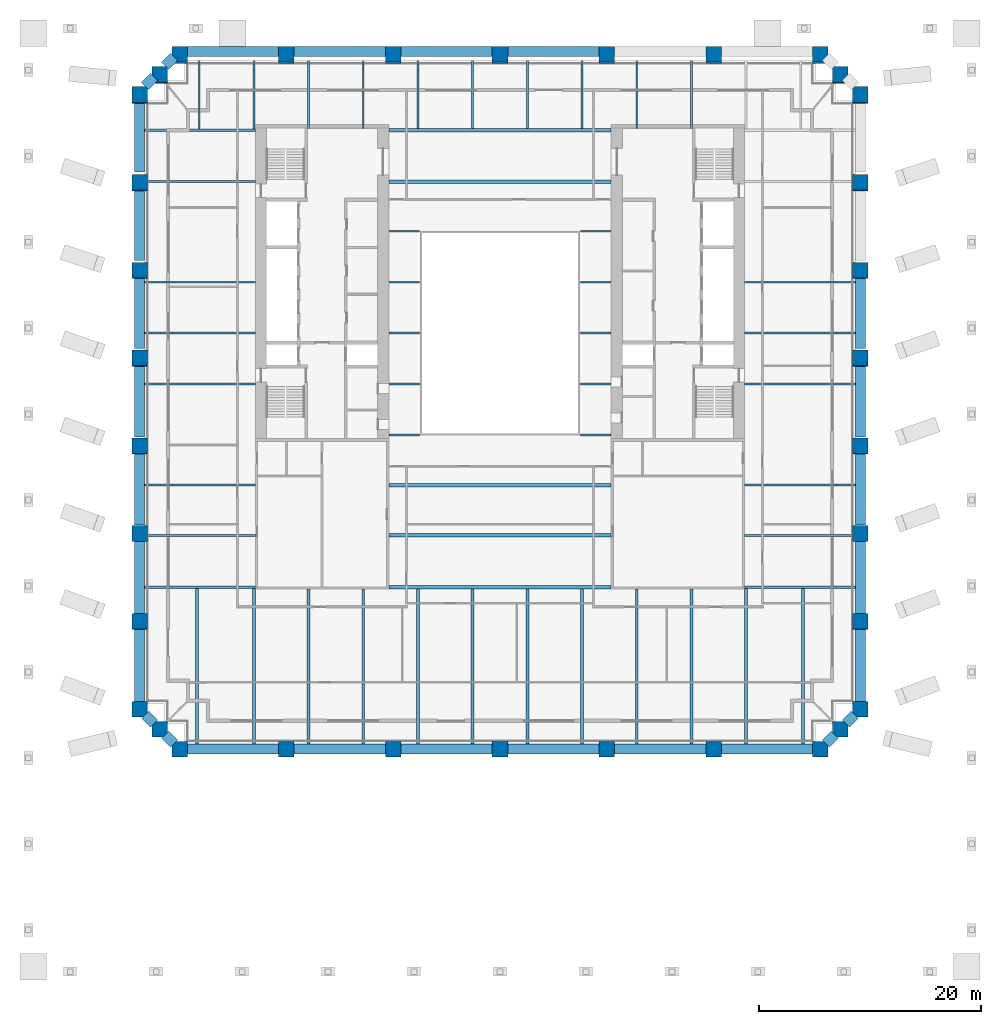
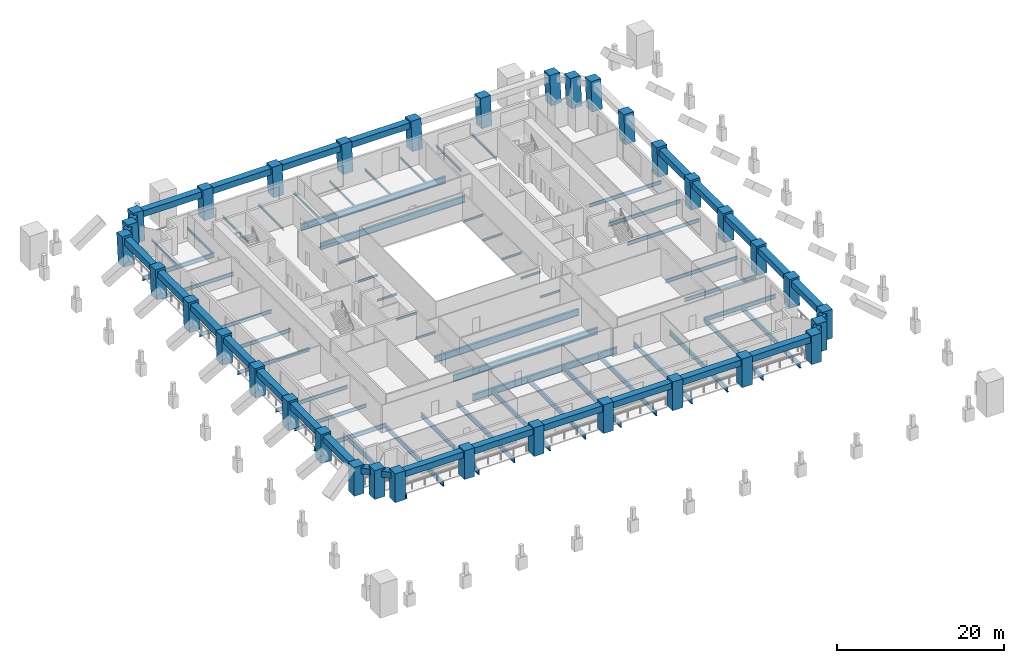
# One storey, part 1 of 10: 79 beams, 34 columns.
"""IFC4 building model written with IfcOpenShell, lengths in metres."""

from ifc_helpers import new_model, si_unit, direction, frame, origin, origin_2d, place, context, subcontext, project, spatial, rectangle, i_section, extrude, material, material_profile, profile_set, type_object, element, save


model = new_model("IFC4")

# Units and contexts
model_context = context("Model", 3, precision=1e-05, world=origin(), true_north=direction((0.0, 1.0)))
body_context = subcontext(model_context, "Body", "Model", "MODEL_VIEW")
ifc_project = project(units=[si_unit("LENGTHUNIT", "METRE"), si_unit("AREAUNIT", "SQUARE_METRE"), si_unit("VOLUMEUNIT", "CUBIC_METRE"), si_unit("PLANEANGLEUNIT", "RADIAN"), si_unit("MASSUNIT", "GRAM", prefix="KILO")], contexts=[model_context])

# Site, building, storey
site_placement = place(None, origin())
site = spatial("IfcSite", under=ifc_project, at=site_placement, CompositionType="ELEMENT")
building_placement = place(site_placement, origin())
building = spatial("IfcBuilding", under=site, at=building_placement, Name="Ogive Exchange Tower", CompositionType="ELEMENT")
storey_placement = place(building_placement, frame((0.0, 0.0, 39.60009765625)))
storey = spatial("IfcBuildingStorey", under=building, at=storey_placement, Name="L07", CompositionType="ELEMENT", Elevation=39.60009765625)

# Columns
ifc_material_1 = material(Name="Precast concrete C70/85 (limestone faced)", Category="masonry")
ifc_material_profile_1 = material_profile(ifc_material_1, rectangle(XDim=1.39990234375, YDim=1.39990234375, at=origin_2d()), Name="1400 x 1400")
ifc_profile_set_1 = profile_set([ifc_material_profile_1], Name="Precast concrete C70/85 (limestone faced)")
column_type = type_object("IfcColumnType", Name="Precast exoskeleton leg 1400 x 1400 C70/85", PredefinedType="COLUMN", material=ifc_profile_set_1)
for number, where, z_axis, x_axis, name in (
    (1, (-28.800048828125, -30.39990234375, 0.0), (0.0, 0.0, 1.0), (1.0, 0.0, 0.0), "Exoskeleton leg 1"),
    (2, (-19.199951171875, -30.39990234375, 0.0), (0.0, 0.0, 1.0), (1.0, 0.0, 0.0), "Exoskeleton leg 2"),
    (3, (-9.60009765625, -30.39990234375, 0.0), (0.0, 0.0, 1.0), (1.0, 0.0, 0.0), "Exoskeleton leg 3"),
    (4, (0.0, -30.39990234375, 0.0), (0.0, 0.0, 1.0), (1.0, 0.0, 0.0), "Exoskeleton leg 4"),
    (5, (9.60009765625, -30.39990234375, 0.0), (0.0, 0.0, 1.0), (1.0, 0.0, 0.0), "Exoskeleton leg 5"),
    (6, (19.199951171875, -30.39990234375, 0.0), (0.0, 0.0, 1.0), (1.0, 0.0, 0.0), "Exoskeleton leg 6"),
    (7, (28.800048828125, -30.39990234375, 0.0), (0.0, 0.0, 1.0), (1.0, 0.0, 0.0), "Exoskeleton leg 7"),
    (8, (32.39990234375, -26.800048828125, 0.0), (0.0, 0.0, 1.0), (1.0, 0.0, 0.0), "Exoskeleton leg 8"),
):
    element("IfcColumn", number, at=place(storey_placement, frame(where, z_axis=z_axis, x_axis=x_axis)), inside=storey, type_object=column_type, Name=name, PredefinedType="COLUMN", context=body_context, shape_type="SweptSolid", body=[
        extrude(rectangle(XDim=1.39990234375, YDim=1.39990234375, at=origin_2d()), origin(), (0.0, 0.0, 1.0), 4.199951171875),
    ])
column_1_placement = place(storey_placement, frame((32.39990234375, -18.922119140625, 0.0), z_axis=(0.0, 0.013019881024, 0.999915237757), x_axis=(-1.0, 0.0, 0.0)))
element("IfcColumn", 9, at=column_1_placement, inside=storey, type_object=column_type, Name="Exoskeleton leg 9", PredefinedType="COLUMN", context=body_context, shape_type="SweptSolid", body=[
    extrude(rectangle(XDim=1.39990234375, YDim=1.39990234375, at=origin_2d()), origin(), (0.0, 0.0, 1.0), 4.2001953125),
])
column_2_placement = place(storey_placement, frame((32.39990234375, -11.044189453125, 0.0), z_axis=(0.0, 0.025975072843, 0.999662590873), x_axis=(-1.0, 0.0, 0.0)))
element("IfcColumn", 10, at=column_2_placement, inside=storey, type_object=column_type, Name="Exoskeleton leg 10", PredefinedType="COLUMN", context=body_context, shape_type="SweptSolid", body=[
    extrude(rectangle(XDim=1.39990234375, YDim=1.39990234375, at=origin_2d()), origin(), (0.0, 0.0, 1.0), 4.201416015625),
])
column_3_placement = place(storey_placement, frame((32.39990234375, -3.166259765625, 0.0), z_axis=(0.0, 0.038917190853, 0.999242439179), x_axis=(-1.0, 0.0, 0.0)))
element("IfcColumn", 11, at=column_3_placement, inside=storey, type_object=column_type, Name="Exoskeleton leg 11", PredefinedType="COLUMN", context=body_context, shape_type="SweptSolid", body=[
    extrude(rectangle(XDim=1.39990234375, YDim=1.39990234375, at=origin_2d()), origin(), (0.0, 0.0, 1.0), 4.203125),
])
column_4_placement = place(storey_placement, frame((32.39990234375, 4.711669921875, 0.0), z_axis=(0.0, 0.051897648879, 0.99865240902), x_axis=(-1.0, 0.0, 0.0)))
element("IfcColumn", 12, at=column_4_placement, inside=storey, type_object=column_type, Name="Exoskeleton leg 12", PredefinedType="COLUMN", context=body_context, shape_type="SweptSolid", body=[
    extrude(rectangle(XDim=1.39990234375, YDim=1.39990234375, at=origin_2d()), origin(), (0.0, 0.0, 1.0), 4.20556640625),
])
column_5_placement = place(storey_placement, frame((32.39990234375, 12.589599609375, 0.0), z_axis=(0.0, 0.064794093908, 0.997898654872), x_axis=(-1.0, 0.0, 0.0)))
element("IfcColumn", 13, at=column_5_placement, inside=storey, type_object=column_type, Name="Exoskeleton leg 13", PredefinedType="COLUMN", context=body_context, shape_type="SweptSolid", body=[
    extrude(rectangle(XDim=1.39990234375, YDim=1.39990234375, at=origin_2d()), origin(), (0.0, 0.0, 1.0), 4.208740234375),
])
column_6_placement = place(storey_placement, frame((32.39990234375, 20.467529296875, 0.0), z_axis=(0.0, 0.07771576013, 0.996975556685), x_axis=(-1.0, 0.0, 0.0)))
element("IfcColumn", 14, at=column_6_placement, inside=storey, type_object=column_type, Name="Exoskeleton leg 14", PredefinedType="COLUMN", context=body_context, shape_type="SweptSolid", body=[
    extrude(rectangle(XDim=1.39990234375, YDim=1.39990234375, at=origin_2d()), origin(), (0.0, 0.0, 1.0), 4.212646484375),
])
for number, where, z_axis, x_axis, name in (
    (15, (32.39990234375, 28.345458984375, 0.0), (0.0, 0.090540965689, 0.995892731941), (-1.0, 0.0, 0.0), "Exoskeleton leg 15"),
    (16, (28.800048828125, 31.945556640625, 0.0), (0.0, 0.090540965689, 0.995892731941), (-1.0, 0.0, 0.0), "Exoskeleton leg 16"),
    (17, (19.199951171875, 31.945556640625, 0.0), (0.0, 0.090540965689, 0.995892731941), (-1.0, 0.0, 0.0), "Exoskeleton leg 17"),
    (18, (9.60009765625, 31.945556640625, 0.0), (0.0, 0.090540965689, 0.995892731941), (-1.0, 0.0, 0.0), "Exoskeleton leg 18"),
    (19, (0.0, 31.945556640625, 0.0), (0.0, 0.090540965689, 0.995892731941), (-1.0, 0.0, 0.0), "Exoskeleton leg 19"),
    (20, (-9.60009765625, 31.945556640625, 0.0), (0.0, 0.090540965689, 0.995892731941), (-1.0, 0.0, 0.0), "Exoskeleton leg 20"),
    (21, (-19.199951171875, 31.945556640625, 0.0), (0.0, 0.090540965689, 0.995892731941), (-1.0, 0.0, 0.0), "Exoskeleton leg 21"),
    (22, (-28.800048828125, 31.945556640625, 0.0), (0.0, 0.090540965689, 0.995892731941), (-1.0, 0.0, 0.0), "Exoskeleton leg 22"),
    (23, (-32.39990234375, 28.345458984375, 0.0), (0.0, 0.090540965689, 0.995892731941), (-1.0, 0.0, 0.0), "Exoskeleton leg 23"),
):
    element("IfcColumn", number, at=place(storey_placement, frame(where, z_axis=z_axis, x_axis=x_axis)), inside=storey, type_object=column_type, Name=name, PredefinedType="COLUMN", context=body_context, shape_type="SweptSolid", body=[
        extrude(rectangle(XDim=1.39990234375, YDim=1.39990234375, at=origin_2d()), origin(), (0.0, 0.0, 1.0), 4.21728515625),
    ])
column_7_placement = place(storey_placement, frame((-32.39990234375, 20.467529296875, 0.0), z_axis=(0.0, 0.07771576013, 0.996975556685), x_axis=(-1.0, 0.0, 0.0)))
element("IfcColumn", 24, at=column_7_placement, inside=storey, type_object=column_type, Name="Exoskeleton leg 24", PredefinedType="COLUMN", context=body_context, shape_type="SweptSolid", body=[
    extrude(rectangle(XDim=1.39990234375, YDim=1.39990234375, at=origin_2d()), origin(), (0.0, 0.0, 1.0), 4.212646484375),
])
column_8_placement = place(storey_placement, frame((-32.39990234375, 12.589599609375, 0.0), z_axis=(0.0, 0.064794093908, 0.997898654872), x_axis=(-1.0, 0.0, 0.0)))
element("IfcColumn", 25, at=column_8_placement, inside=storey, type_object=column_type, Name="Exoskeleton leg 25", PredefinedType="COLUMN", context=body_context, shape_type="SweptSolid", body=[
    extrude(rectangle(XDim=1.39990234375, YDim=1.39990234375, at=origin_2d()), origin(), (0.0, 0.0, 1.0), 4.208740234375),
])
column_9_placement = place(storey_placement, frame((-32.39990234375, 4.711669921875, 0.0), z_axis=(0.0, 0.051897648879, 0.99865240902), x_axis=(-1.0, 0.0, 0.0)))
element("IfcColumn", 26, at=column_9_placement, inside=storey, type_object=column_type, Name="Exoskeleton leg 26", PredefinedType="COLUMN", context=body_context, shape_type="SweptSolid", body=[
    extrude(rectangle(XDim=1.39990234375, YDim=1.39990234375, at=origin_2d()), origin(), (0.0, 0.0, 1.0), 4.20556640625),
])
column_10_placement = place(storey_placement, frame((-32.39990234375, -3.166259765625, 0.0), z_axis=(0.0, 0.038917190853, 0.999242439179), x_axis=(-1.0, 0.0, 0.0)))
element("IfcColumn", 27, at=column_10_placement, inside=storey, type_object=column_type, Name="Exoskeleton leg 27", PredefinedType="COLUMN", context=body_context, shape_type="SweptSolid", body=[
    extrude(rectangle(XDim=1.39990234375, YDim=1.39990234375, at=origin_2d()), origin(), (0.0, 0.0, 1.0), 4.203125),
])
column_11_placement = place(storey_placement, frame((-32.39990234375, -11.044189453125, 0.0), z_axis=(0.0, 0.025975072843, 0.999662590873), x_axis=(-1.0, 0.0, 0.0)))
element("IfcColumn", 28, at=column_11_placement, inside=storey, type_object=column_type, Name="Exoskeleton leg 28", PredefinedType="COLUMN", context=body_context, shape_type="SweptSolid", body=[
    extrude(rectangle(XDim=1.39990234375, YDim=1.39990234375, at=origin_2d()), origin(), (0.0, 0.0, 1.0), 4.201416015625),
])
column_12_placement = place(storey_placement, frame((-32.39990234375, -18.922119140625, 0.0), z_axis=(0.0, 0.013019881024, 0.999915237757), x_axis=(-1.0, 0.0, 0.0)))
element("IfcColumn", 29, at=column_12_placement, inside=storey, type_object=column_type, Name="Exoskeleton leg 29", PredefinedType="COLUMN", context=body_context, shape_type="SweptSolid", body=[
    extrude(rectangle(XDim=1.39990234375, YDim=1.39990234375, at=origin_2d()), origin(), (0.0, 0.0, 1.0), 4.2001953125),
])
for number, where, z_axis, x_axis, name in (
    (30, (-32.39990234375, -26.800048828125, 0.0), (0.0, 0.0, 1.0), (1.0, 0.0, 0.0), "Exoskeleton leg 30"),
    (31, (30.60009765625, -28.60009765625, 0.0), (0.0, 0.0, 1.0), (1.0, 0.0, 0.0), "Exoskeleton leg 31"),
):
    element("IfcColumn", number, at=place(storey_placement, frame(where, z_axis=z_axis, x_axis=x_axis)), inside=storey, type_object=column_type, Name=name, PredefinedType="COLUMN", context=body_context, shape_type="SweptSolid", body=[
        extrude(rectangle(XDim=1.39990234375, YDim=1.39990234375, at=origin_2d()), origin(), (0.0, 0.0, 1.0), 4.199951171875),
    ])
for number, where, z_axis, x_axis, name in (
    (32, (30.60009765625, 30.1455078125, 0.0), (0.0, 0.090540965689, 0.995892731941), (-1.0, 0.0, 0.0), "Exoskeleton leg 32"),
    (33, (-30.60009765625, 30.1455078125, 0.0), (0.0, 0.090540965689, 0.995892731941), (-1.0, 0.0, 0.0), "Exoskeleton leg 33"),
):
    element("IfcColumn", number, at=place(storey_placement, frame(where, z_axis=z_axis, x_axis=x_axis)), inside=storey, type_object=column_type, Name=name, PredefinedType="COLUMN", context=body_context, shape_type="SweptSolid", body=[
        extrude(rectangle(XDim=1.39990234375, YDim=1.39990234375, at=origin_2d()), origin(), (0.0, 0.0, 1.0), 4.21728515625),
    ])
column_13_placement = place(storey_placement, frame((-30.60009765625, -28.60009765625, 0.0), z_axis=(0.0, 0.0, 1.0), x_axis=(1.0, 0.0, 0.0)))
element("IfcColumn", 34, at=column_13_placement, inside=storey, type_object=column_type, Name="Exoskeleton leg 34", PredefinedType="COLUMN", context=body_context, shape_type="SweptSolid", body=[
    extrude(rectangle(XDim=1.39990234375, YDim=1.39990234375, at=origin_2d()), origin(), (0.0, 0.0, 1.0), 4.199951171875),
])

# Beams
ifc_material_2 = material(Name="Steel ASTM A992 Gr50", Category="steel")
ifc_material_profile_2 = material_profile(ifc_material_2, i_section(OverallWidth=0.300048828125, OverallDepth=0.969970703125, WebThickness=0.01611328125, FlangeThickness=0.02099609375, at=origin_2d()), Name="W1000x222")
ifc_profile_set_2 = profile_set([ifc_material_profile_2], Name="Steel ASTM A992 Gr50")
beam_type_1 = type_object("IfcBeamType", Name="Floor beam W1000x222", PredefinedType="JOIST", material=ifc_profile_set_2)
for number, where, z_axis, x_axis, name in (
    (35, (-10.0, -11.17822265625, -0.68505859375), (1.0, 0.0, 0.0), (0.0, 1.0, 0.0), "Floor beam"),
    (36, (-10.0, -6.666748046875, -0.68505859375), (1.0, 0.0, 0.0), (0.0, 1.0, 0.0), "Floor beam"),
    (37, (-10.0, 20.62255859375, -0.68505859375), (1.0, 0.0, 0.0), (0.0, 1.0, 0.0), "Floor beam"),
):
    element("IfcBeam", number, at=place(storey_placement, frame(where, z_axis=z_axis, x_axis=x_axis)), inside=storey, type_object=beam_type_1, Name=name, PredefinedType="JOIST", context=body_context, shape_type="SweptSolid", body=[
        extrude(i_section(OverallWidth=0.300048828125, OverallDepth=0.969970703125, WebThickness=0.01611328125, FlangeThickness=0.02099609375, at=origin_2d()), origin(), (0.0, 0.0, 1.0), 20.0),
    ])
ifc_material_profile_3 = material_profile(ifc_material_2, i_section(OverallWidth=0.1650390625, OverallDepth=0.31005859375, WebThickness=0.005859375, FlangeThickness=0.009765625, at=origin_2d()), Name="W310x38.7")
ifc_profile_set_3 = profile_set([ifc_material_profile_3], Name="Steel ASTM A992 Gr50")
beam_type_2 = type_object("IfcBeamType", Name="Floor beam W310x38.7", PredefinedType="JOIST", material=ifc_profile_set_3)
for number, where, z_axis, x_axis, name in (
    (38, (-10.0, 2.422607421875, -0.35498046875), (1.0, 0.0, 0.0), (0.0, 1.0, 0.0), "Floor beam"),
    (39, (7.219970703125, 2.422607421875, -0.35498046875), (1.0, 0.0, 0.0), (0.0, 1.0, 0.0), "Floor beam"),
    (40, (-10.0, 7.0, -0.35498046875), (1.0, 0.0, 0.0), (0.0, 1.0, 0.0), "Floor beam"),
    (41, (7.219970703125, 7.0, -0.35498046875), (1.0, 0.0, 0.0), (0.0, 1.0, 0.0), "Floor beam"),
    (42, (-10.0, 11.577392578125, -0.35498046875), (1.0, 0.0, 0.0), (0.0, 1.0, 0.0), "Floor beam"),
    (43, (7.219970703125, 11.577392578125, -0.35498046875), (1.0, 0.0, 0.0), (0.0, 1.0, 0.0), "Floor beam"),
):
    element("IfcBeam", number, at=place(storey_placement, frame(where, z_axis=z_axis, x_axis=x_axis)), inside=storey, type_object=beam_type_2, Name=name, PredefinedType="JOIST", context=body_context, shape_type="SweptSolid", body=[
        extrude(i_section(OverallWidth=0.1650390625, OverallDepth=0.31005859375, WebThickness=0.005859375, FlangeThickness=0.009765625, at=origin_2d()), origin(), (0.0, 0.0, 1.0), 2.780029296875),
    ])
for number, where, z_axis, x_axis, name in (
    (44, (-27.03466796875, 25.35888671875, -0.35498046875), (0.0, 1.0, 0.0), (-1.0, 0.0, 0.0), "Floor beam"),
    (45, (-22.119140625, 25.35888671875, -0.35498046875), (0.0, 1.0, 0.0), (-1.0, 0.0, 0.0), "Floor beam"),
):
    element("IfcBeam", number, at=place(storey_placement, frame(where, z_axis=z_axis, x_axis=x_axis)), inside=storey, type_object=beam_type_2, Name=name, PredefinedType="JOIST", context=body_context, shape_type="SweptSolid", body=[
        extrude(i_section(OverallWidth=0.1650390625, OverallDepth=0.31005859375, WebThickness=0.005859375, FlangeThickness=0.009765625, at=origin_2d()), origin(), (0.0, 0.0, 1.0), 6.13671875),
    ])
for number, where, z_axis, x_axis, name in (
    (46, (-17.203857421875, 25.39990234375, -0.35498046875), (0.0, 1.0, 0.0), (-1.0, 0.0, 0.0), "Floor beam"),
    (47, (-12.28857421875, 25.39990234375, -0.35498046875), (0.0, 1.0, 0.0), (-1.0, 0.0, 0.0), "Floor beam"),
):
    element("IfcBeam", number, at=place(storey_placement, frame(where, z_axis=z_axis, x_axis=x_axis)), inside=storey, type_object=beam_type_2, Name=name, PredefinedType="JOIST", context=body_context, shape_type="SweptSolid", body=[
        extrude(i_section(OverallWidth=0.1650390625, OverallDepth=0.31005859375, WebThickness=0.005859375, FlangeThickness=0.009765625, at=origin_2d()), origin(), (0.0, 0.0, 1.0), 6.095703125),
    ])
for number, where, z_axis, x_axis, name in (
    (48, (-7.373046875, 25.39501953125, -0.35498046875), (0.0, 1.0, 0.0), (-1.0, 0.0, 0.0), "Floor beam"),
    (49, (-2.457763671875, 25.39501953125, -0.35498046875), (0.0, 1.0, 0.0), (-1.0, 0.0, 0.0), "Floor beam"),
    (50, (2.457763671875, 25.39501953125, -0.35498046875), (0.0, 1.0, 0.0), (-1.0, 0.0, 0.0), "Floor beam"),
    (51, (7.373046875, 25.39501953125, -0.35498046875), (0.0, 1.0, 0.0), (-1.0, 0.0, 0.0), "Floor beam"),
):
    element("IfcBeam", number, at=place(storey_placement, frame(where, z_axis=z_axis, x_axis=x_axis)), inside=storey, type_object=beam_type_2, Name=name, PredefinedType="JOIST", context=body_context, shape_type="SweptSolid", body=[
        extrude(i_section(OverallWidth=0.1650390625, OverallDepth=0.31005859375, WebThickness=0.005859375, FlangeThickness=0.009765625, at=origin_2d()), origin(), (0.0, 0.0, 1.0), 6.1005859375),
    ])
for number, where, z_axis, x_axis, name in (
    (52, (12.28857421875, 25.39990234375, -0.35498046875), (0.0, 1.0, 0.0), (-1.0, 0.0, 0.0), "Floor beam"),
    (53, (17.203857421875, 25.39990234375, -0.35498046875), (0.0, 1.0, 0.0), (-1.0, 0.0, 0.0), "Floor beam"),
):
    element("IfcBeam", number, at=place(storey_placement, frame(where, z_axis=z_axis, x_axis=x_axis)), inside=storey, type_object=beam_type_2, Name=name, PredefinedType="JOIST", context=body_context, shape_type="SweptSolid", body=[
        extrude(i_section(OverallWidth=0.1650390625, OverallDepth=0.31005859375, WebThickness=0.005859375, FlangeThickness=0.009765625, at=origin_2d()), origin(), (0.0, 0.0, 1.0), 6.095703125),
    ])
ifc_material_profile_4 = material_profile(ifc_material_2, i_section(OverallWidth=0.1669921875, OverallDepth=0.535888671875, WebThickness=0.01025390625, FlangeThickness=0.0166015625, at=origin_2d()), Name="W530x85")
ifc_profile_set_4 = profile_set([ifc_material_profile_4], Name="Steel ASTM A992 Gr50")
beam_type_3 = type_object("IfcBeamType", Name="Floor beam W530x85", PredefinedType="JOIST", material=ifc_profile_set_4)
for number, where, z_axis, x_axis, name in (
    (54, (-31.949951171875, -11.17822265625, -0.468017578125), (1.0, 0.0, 0.0), (0.0, 1.0, 0.0), "Floor beam"),
    (55, (22.0, -11.17822265625, -0.468017578125), (1.0, 0.0, 0.0), (0.0, 1.0, 0.0), "Floor beam"),
    (56, (-31.949951171875, -6.666748046875, -0.468017578125), (1.0, 0.0, 0.0), (0.0, 1.0, 0.0), "Floor beam"),
    (57, (22.0, -6.666748046875, -0.468017578125), (1.0, 0.0, 0.0), (0.0, 1.0, 0.0), "Floor beam"),
    (58, (-31.949951171875, 2.422607421875, -0.468017578125), (1.0, 0.0, 0.0), (0.0, 1.0, 0.0), "Floor beam"),
    (59, (22.0, 2.422607421875, -0.468017578125), (1.0, 0.0, 0.0), (0.0, 1.0, 0.0), "Floor beam"),
    (60, (-31.949951171875, 7.0, -0.468017578125), (1.0, 0.0, 0.0), (0.0, 1.0, 0.0), "Floor beam"),
    (61, (22.0, 7.0, -0.468017578125), (1.0, 0.0, 0.0), (0.0, 1.0, 0.0), "Floor beam"),
    (62, (-31.949951171875, 11.577392578125, -0.468017578125), (1.0, 0.0, 0.0), (0.0, 1.0, 0.0), "Floor beam"),
    (63, (22.0, 11.577392578125, -0.468017578125), (1.0, 0.0, 0.0), (0.0, 1.0, 0.0), "Floor beam"),
    (64, (-31.949951171875, 20.62255859375, -0.468017578125), (1.0, 0.0, 0.0), (0.0, 1.0, 0.0), "Floor beam"),
):
    element("IfcBeam", number, at=place(storey_placement, frame(where, z_axis=z_axis, x_axis=x_axis)), inside=storey, type_object=beam_type_3, Name=name, PredefinedType="JOIST", context=body_context, shape_type="SweptSolid", body=[
        extrude(i_section(OverallWidth=0.1669921875, OverallDepth=0.535888671875, WebThickness=0.01025390625, FlangeThickness=0.0166015625, at=origin_2d()), origin(), (0.0, 0.0, 1.0), 9.949951171875),
    ])
ifc_material_profile_5 = material_profile(ifc_material_2, i_section(OverallWidth=0.25390625, OverallDepth=0.677978515625, WebThickness=0.01171875, FlangeThickness=0.016357421875, at=origin_2d()), Name="W690x125")
ifc_profile_set_5 = profile_set([ifc_material_profile_5], Name="Steel ASTM A992 Gr50")
beam_type_4 = type_object("IfcBeamType", Name="Floor beam W690x125", PredefinedType="JOIST", material=ifc_profile_set_5)
for number, where, z_axis, x_axis, name in (
    (65, (-27.234619140625, -29.949951171875, -0.5390625), (0.0, 1.0, 0.0), (-1.0, 0.0, 0.0), "Floor beam"),
    (66, (-22.119140625, -29.949951171875, -0.5390625), (0.0, 1.0, 0.0), (-1.0, 0.0, 0.0), "Floor beam"),
):
    element("IfcBeam", number, at=place(storey_placement, frame(where, z_axis=z_axis, x_axis=x_axis)), inside=storey, type_object=beam_type_4, Name=name, PredefinedType="JOIST", context=body_context, shape_type="SweptSolid", body=[
        extrude(i_section(OverallWidth=0.25390625, OverallDepth=0.677978515625, WebThickness=0.01171875, FlangeThickness=0.016357421875, at=origin_2d()), origin(), (0.0, 0.0, 1.0), 13.990966796875),
    ])
for number, where, z_axis, x_axis, name in (
    (67, (-17.203857421875, -29.949951171875, -0.5390625), (0.0, 1.0, 0.0), (-1.0, 0.0, 0.0), "Floor beam"),
    (68, (-12.28857421875, -29.949951171875, -0.5390625), (0.0, 1.0, 0.0), (-1.0, 0.0, 0.0), "Floor beam"),
):
    element("IfcBeam", number, at=place(storey_placement, frame(where, z_axis=z_axis, x_axis=x_axis)), inside=storey, type_object=beam_type_4, Name=name, PredefinedType="JOIST", context=body_context, shape_type="SweptSolid", body=[
        extrude(i_section(OverallWidth=0.25390625, OverallDepth=0.677978515625, WebThickness=0.01171875, FlangeThickness=0.016357421875, at=origin_2d()), origin(), (0.0, 0.0, 1.0), 13.949951171875),
    ])
for number, where, z_axis, x_axis, name in (
    (69, (-7.373046875, -29.949951171875, -0.5390625), (0.0, 1.0, 0.0), (-1.0, 0.0, 0.0), "Floor beam"),
    (70, (-2.457763671875, -29.949951171875, -0.5390625), (0.0, 1.0, 0.0), (-1.0, 0.0, 0.0), "Floor beam"),
    (71, (2.457763671875, -29.949951171875, -0.5390625), (0.0, 1.0, 0.0), (-1.0, 0.0, 0.0), "Floor beam"),
    (72, (7.373046875, -29.949951171875, -0.5390625), (0.0, 1.0, 0.0), (-1.0, 0.0, 0.0), "Floor beam"),
):
    element("IfcBeam", number, at=place(storey_placement, frame(where, z_axis=z_axis, x_axis=x_axis)), inside=storey, type_object=beam_type_4, Name=name, PredefinedType="JOIST", context=body_context, shape_type="SweptSolid", body=[
        extrude(i_section(OverallWidth=0.25390625, OverallDepth=0.677978515625, WebThickness=0.01171875, FlangeThickness=0.016357421875, at=origin_2d()), origin(), (0.0, 0.0, 1.0), 13.954833984375),
    ])
for number, where, z_axis, x_axis, name in (
    (73, (12.28857421875, -29.949951171875, -0.5390625), (0.0, 1.0, 0.0), (-1.0, 0.0, 0.0), "Floor beam"),
    (74, (17.203857421875, -29.949951171875, -0.5390625), (0.0, 1.0, 0.0), (-1.0, 0.0, 0.0), "Floor beam"),
):
    element("IfcBeam", number, at=place(storey_placement, frame(where, z_axis=z_axis, x_axis=x_axis)), inside=storey, type_object=beam_type_4, Name=name, PredefinedType="JOIST", context=body_context, shape_type="SweptSolid", body=[
        extrude(i_section(OverallWidth=0.25390625, OverallDepth=0.677978515625, WebThickness=0.01171875, FlangeThickness=0.016357421875, at=origin_2d()), origin(), (0.0, 0.0, 1.0), 13.949951171875),
    ])
for number, where, z_axis, x_axis, name in (
    (75, (22.119140625, -29.949951171875, -0.5390625), (0.0, 1.0, 0.0), (-1.0, 0.0, 0.0), "Floor beam"),
    (76, (27.234619140625, -29.949951171875, -0.5390625), (0.0, 1.0, 0.0), (-1.0, 0.0, 0.0), "Floor beam"),
):
    element("IfcBeam", number, at=place(storey_placement, frame(where, z_axis=z_axis, x_axis=x_axis)), inside=storey, type_object=beam_type_4, Name=name, PredefinedType="JOIST", context=body_context, shape_type="SweptSolid", body=[
        extrude(i_section(OverallWidth=0.25390625, OverallDepth=0.677978515625, WebThickness=0.01171875, FlangeThickness=0.016357421875, at=origin_2d()), origin(), (0.0, 0.0, 1.0), 13.990966796875),
    ])
ifc_material_profile_6 = material_profile(ifc_material_2, i_section(OverallWidth=0.300048828125, OverallDepth=0.97998046875, WebThickness=0.0166015625, FlangeThickness=0.026123046875, at=origin_2d()), Name="W1000x249")
ifc_profile_set_6 = profile_set([ifc_material_profile_6], Name="Steel ASTM A992 Gr50")
beam_type_5 = type_object("IfcBeamType", Name="Girder W1000x249", PredefinedType="BEAM", material=ifc_profile_set_6)
for number, where, z_axis, x_axis, name in (
    (77, (-10.0, -15.844970703125, -0.690185546875), (1.0, 0.0, 0.0), (0.0, 1.0, 0.0), "Header girder"),
    (78, (-10.0, 25.2451171875, -0.690185546875), (1.0, 0.0, 0.0), (0.0, 1.0, 0.0), "Header girder"),
):
    element("IfcBeam", number, at=place(storey_placement, frame(where, z_axis=z_axis, x_axis=x_axis)), inside=storey, type_object=beam_type_5, Name=name, PredefinedType="BEAM", context=body_context, shape_type="SweptSolid", body=[
        extrude(i_section(OverallWidth=0.300048828125, OverallDepth=0.97998046875, WebThickness=0.0166015625, FlangeThickness=0.026123046875, at=origin_2d()), origin(), (0.0, 0.0, 1.0), 20.0),
    ])
ifc_material_profile_7 = material_profile(ifc_material_2, i_section(OverallWidth=0.1650390625, OverallDepth=0.31005859375, WebThickness=0.005859375, FlangeThickness=0.009765625, at=origin_2d()), Name="W310x38.7")
ifc_profile_set_7 = profile_set([ifc_material_profile_7], Name="Steel ASTM A992 Gr50")
beam_type_6 = type_object("IfcBeamType", Name="Girder W310x38.7", PredefinedType="BEAM", material=ifc_profile_set_7)
for number, where, z_axis, x_axis, name in (
    (79, (-10.0, -2.155029296875, -0.35498046875), (1.0, 0.0, 0.0), (0.0, 1.0, 0.0), "Trimmer girder"),
    (80, (7.219970703125, -2.155029296875, -0.35498046875), (1.0, 0.0, 0.0), (0.0, 1.0, 0.0), "Trimmer girder"),
    (81, (-10.0, 16.155029296875, -0.35498046875), (1.0, 0.0, 0.0), (0.0, 1.0, 0.0), "Trimmer girder"),
    (82, (7.219970703125, 16.155029296875, -0.35498046875), (1.0, 0.0, 0.0), (0.0, 1.0, 0.0), "Trimmer girder"),
):
    element("IfcBeam", number, at=place(storey_placement, frame(where, z_axis=z_axis, x_axis=x_axis)), inside=storey, type_object=beam_type_6, Name=name, PredefinedType="BEAM", context=body_context, shape_type="SweptSolid", body=[
        extrude(i_section(OverallWidth=0.1650390625, OverallDepth=0.31005859375, WebThickness=0.005859375, FlangeThickness=0.009765625, at=origin_2d()), origin(), (0.0, 0.0, 1.0), 2.780029296875),
    ])
ifc_material_profile_8 = material_profile(ifc_material_2, i_section(OverallWidth=0.22802734375, OverallDepth=0.60205078125, WebThickness=0.010498046875, FlangeThickness=0.014892578125, at=origin_2d()), Name="W610x101")
ifc_profile_set_8 = profile_set([ifc_material_profile_8], Name="Steel ASTM A992 Gr50")
beam_type_7 = type_object("IfcBeamType", Name="Girder W610x101", PredefinedType="BEAM", material=ifc_profile_set_8)
for number, where, z_axis, x_axis, name in (
    (83, (-31.949951171875, -15.844970703125, -0.5009765625), (1.0, 0.0, 0.0), (0.0, 1.0, 0.0), "Header girder"),
    (84, (22.0, -15.844970703125, -0.5009765625), (1.0, 0.0, 0.0), (0.0, 1.0, 0.0), "Header girder"),
    (85, (-31.949951171875, 25.2451171875, -0.5009765625), (1.0, 0.0, 0.0), (0.0, 1.0, 0.0), "Header girder"),
):
    element("IfcBeam", number, at=place(storey_placement, frame(where, z_axis=z_axis, x_axis=x_axis)), inside=storey, type_object=beam_type_7, Name=name, PredefinedType="BEAM", context=body_context, shape_type="SweptSolid", body=[
        extrude(i_section(OverallWidth=0.22802734375, OverallDepth=0.60205078125, WebThickness=0.010498046875, FlangeThickness=0.014892578125, at=origin_2d()), origin(), (0.0, 0.0, 1.0), 9.949951171875),
    ])
ifc_material_profile_9 = material_profile(ifc_material_1, rectangle(XDim=0.89990234375, YDim=0.89990234375, at=origin_2d()), Name="900 x 900")
ifc_profile_set_9 = profile_set([ifc_material_profile_9], Name="Precast concrete C70/85 (limestone faced)")
beam_type_8 = type_object("IfcBeamType", Name="Precast spandrel 900 x 900 C70/85", PredefinedType="SPANDREL", material=ifc_profile_set_9)
beam_1_placement = place(storey_placement, frame((-28.1201171875, -30.39990234375, 3.5), z_axis=(1.0, 0.0, 0.0), x_axis=(0.0, 1.0, 0.0)))
element("IfcBeam", 86, at=beam_1_placement, inside=storey, type_object=beam_type_8, Name="Spandrel 1", PredefinedType="SPANDREL", context=body_context, shape_type="SweptSolid", body=[
    extrude(rectangle(XDim=0.89990234375, YDim=0.89990234375, at=origin_2d()), origin(), (0.0, 0.0, 1.0), 8.240234375),
])
for number, where, z_axis, x_axis, name in (
    (87, (-18.52001953125, -30.39990234375, 3.5), (1.0, 0.0, 0.0), (0.0, 1.0, 0.0), "Spandrel 2"),
    (88, (-8.919921875, -30.39990234375, 3.5), (1.0, 0.0, 0.0), (0.0, 1.0, 0.0), "Spandrel 3"),
    (89, (0.679931640625, -30.39990234375, 3.5), (1.0, 0.0, 0.0), (0.0, 1.0, 0.0), "Spandrel 4"),
    (90, (10.280029296875, -30.39990234375, 3.5), (1.0, 0.0, 0.0), (0.0, 1.0, 0.0), "Spandrel 5"),
):
    element("IfcBeam", number, at=place(storey_placement, frame(where, z_axis=z_axis, x_axis=x_axis)), inside=storey, type_object=beam_type_8, Name=name, PredefinedType="SPANDREL", context=body_context, shape_type="SweptSolid", body=[
        extrude(rectangle(XDim=0.89990234375, YDim=0.89990234375, at=origin_2d()), origin(), (0.0, 0.0, 1.0), 8.239990234375),
    ])
beam_2_placement = place(storey_placement, frame((19.8798828125, -30.39990234375, 3.5), z_axis=(1.0, 0.0, 0.0), x_axis=(0.0, 1.0, 0.0)))
element("IfcBeam", 91, at=beam_2_placement, inside=storey, type_object=beam_type_8, Name="Spandrel 6", PredefinedType="SPANDREL", context=body_context, shape_type="SweptSolid", body=[
    extrude(rectangle(XDim=0.89990234375, YDim=0.89990234375, at=origin_2d()), origin(), (0.0, 0.0, 1.0), 8.240234375),
])
for number, where, z_axis, x_axis, name in (
    (92, (29.287841796875, -29.912109375, 3.5), (0.707106781187, 0.707106781187, 0.0), (-0.707106781187, 0.707106781187, 0.0), "Spandrel 7"),
    (93, (31.087890625, -28.112060546875, 3.5), (0.707106781187, 0.707106781187, 0.0), (-0.707106781187, 0.707106781187, 0.0), "Spandrel 8"),
):
    element("IfcBeam", number, at=place(storey_placement, frame(where, z_axis=z_axis, x_axis=x_axis)), inside=storey, type_object=beam_type_8, Name=name, PredefinedType="SPANDREL", context=body_context, shape_type="SweptSolid", body=[
        extrude(rectangle(XDim=0.89990234375, YDim=0.89990234375, at=origin_2d()), origin(), (0.0, 0.0, 1.0), 1.16552734375),
    ])
for number, where, z_axis, x_axis, name in (
    (94, (32.39990234375, -26.1201171875, 3.5), (0.0, 1.0, 0.0), (-1.0, 0.0, 0.0), "Spandrel 9"),
    (95, (32.39990234375, -18.1875, 3.5), (0.0, 1.0, 0.0), (-1.0, 0.0, 0.0), "Spandrel 10"),
    (96, (32.39990234375, -10.255126953125, 3.5), (0.0, 1.0, 0.0), (-1.0, 0.0, 0.0), "Spandrel 11"),
    (97, (32.39990234375, -2.322509765625, 3.5), (0.0, 1.0, 0.0), (-1.0, 0.0, 0.0), "Spandrel 12"),
    (98, (32.39990234375, 5.60986328125, 3.5), (0.0, 1.0, 0.0), (-1.0, 0.0, 0.0), "Spandrel 13"),
):
    element("IfcBeam", number, at=place(storey_placement, frame(where, z_axis=z_axis, x_axis=x_axis)), inside=storey, type_object=beam_type_8, Name=name, PredefinedType="SPANDREL", context=body_context, shape_type="SweptSolid", body=[
        extrude(rectangle(XDim=0.89990234375, YDim=0.89990234375, at=origin_2d()), origin(), (0.0, 0.0, 1.0), 6.572509765625),
    ])
for number, where, z_axis, x_axis, name in (
    (99, (8.919921875, 32.327392578125, 3.5), (-1.0, 0.0, 0.0), (0.0, -1.0, 0.0), "Spandrel 20"),
    (100, (-0.679931640625, 32.327392578125, 3.5), (-1.0, 0.0, 0.0), (0.0, -1.0, 0.0), "Spandrel 21"),
    (101, (-10.280029296875, 32.327392578125, 3.5), (-1.0, 0.0, 0.0), (0.0, -1.0, 0.0), "Spandrel 22"),
):
    element("IfcBeam", number, at=place(storey_placement, frame(where, z_axis=z_axis, x_axis=x_axis)), inside=storey, type_object=beam_type_8, Name=name, PredefinedType="SPANDREL", context=body_context, shape_type="SweptSolid", body=[
        extrude(rectangle(XDim=0.89990234375, YDim=0.89990234375, at=origin_2d()), origin(), (0.0, 0.0, 1.0), 8.239990234375),
    ])
beam_3_placement = place(storey_placement, frame((-19.8798828125, 32.327392578125, 3.5), z_axis=(-1.0, 0.0, 0.0), x_axis=(0.0, -1.0, 0.0)))
element("IfcBeam", 102, at=beam_3_placement, inside=storey, type_object=beam_type_8, Name="Spandrel 23", PredefinedType="SPANDREL", context=body_context, shape_type="SweptSolid", body=[
    extrude(rectangle(XDim=0.89990234375, YDim=0.89990234375, at=origin_2d()), origin(), (0.0, 0.0, 1.0), 8.240234375),
])
for number, where, z_axis, x_axis, name in (
    (103, (-29.287841796875, 31.83935546875, 3.5), (-0.707106781187, -0.707106781187, 0.0), (0.707106781187, -0.707106781187, 0.0), "Spandrel 24"),
    (104, (-31.087890625, 30.039306640625, 3.5), (-0.707106781187, -0.707106781187, 0.0), (0.707106781187, -0.707106781187, 0.0), "Spandrel 25"),
):
    element("IfcBeam", number, at=place(storey_placement, frame(where, z_axis=z_axis, x_axis=x_axis)), inside=storey, type_object=beam_type_8, Name=name, PredefinedType="SPANDREL", context=body_context, shape_type="SweptSolid", body=[
        extrude(rectangle(XDim=0.89990234375, YDim=0.89990234375, at=origin_2d()), origin(), (0.0, 0.0, 1.0), 1.16552734375),
    ])
for number, where, z_axis, x_axis, name in (
    (105, (-32.39990234375, 28.04736328125, 3.5), (0.0, -1.0, 0.0), (1.0, 0.0, 0.0), "Spandrel 26"),
    (106, (-32.39990234375, 20.11474609375, 3.5), (0.0, -1.0, 0.0), (1.0, 0.0, 0.0), "Spandrel 27"),
    (107, (-32.39990234375, 12.182373046875, 3.5), (0.0, -1.0, 0.0), (1.0, 0.0, 0.0), "Spandrel 28"),
    (108, (-32.39990234375, 4.25, 3.5), (0.0, -1.0, 0.0), (1.0, 0.0, 0.0), "Spandrel 29"),
    (109, (-32.39990234375, -3.6826171875, 3.5), (0.0, -1.0, 0.0), (1.0, 0.0, 0.0), "Spandrel 30"),
    (110, (-32.39990234375, -11.614990234375, 3.5), (0.0, -1.0, 0.0), (1.0, 0.0, 0.0), "Spandrel 31"),
    (111, (-32.39990234375, -19.547607421875, 3.5), (0.0, -1.0, 0.0), (1.0, 0.0, 0.0), "Spandrel 32"),
):
    element("IfcBeam", number, at=place(storey_placement, frame(where, z_axis=z_axis, x_axis=x_axis)), inside=storey, type_object=beam_type_8, Name=name, PredefinedType="SPANDREL", context=body_context, shape_type="SweptSolid", body=[
        extrude(rectangle(XDim=0.89990234375, YDim=0.89990234375, at=origin_2d()), origin(), (0.0, 0.0, 1.0), 6.572509765625),
    ])
for number, where, z_axis, x_axis, name in (
    (112, (-31.912109375, -27.287841796875, 3.5), (0.707106781187, -0.707106781187, 0.0), (0.707106781187, 0.707106781187, 0.0), "Spandrel 33"),
    (113, (-30.112060546875, -29.087890625, 3.5), (0.707106781187, -0.707106781187, 0.0), (0.707106781187, 0.707106781187, 0.0), "Spandrel 34"),
):
    element("IfcBeam", number, at=place(storey_placement, frame(where, z_axis=z_axis, x_axis=x_axis)), inside=storey, type_object=beam_type_8, Name=name, PredefinedType="SPANDREL", context=body_context, shape_type="SweptSolid", body=[
        extrude(rectangle(XDim=0.89990234375, YDim=0.89990234375, at=origin_2d()), origin(), (0.0, 0.0, 1.0), 1.16552734375),
    ])

save(model, "model.ifc")
